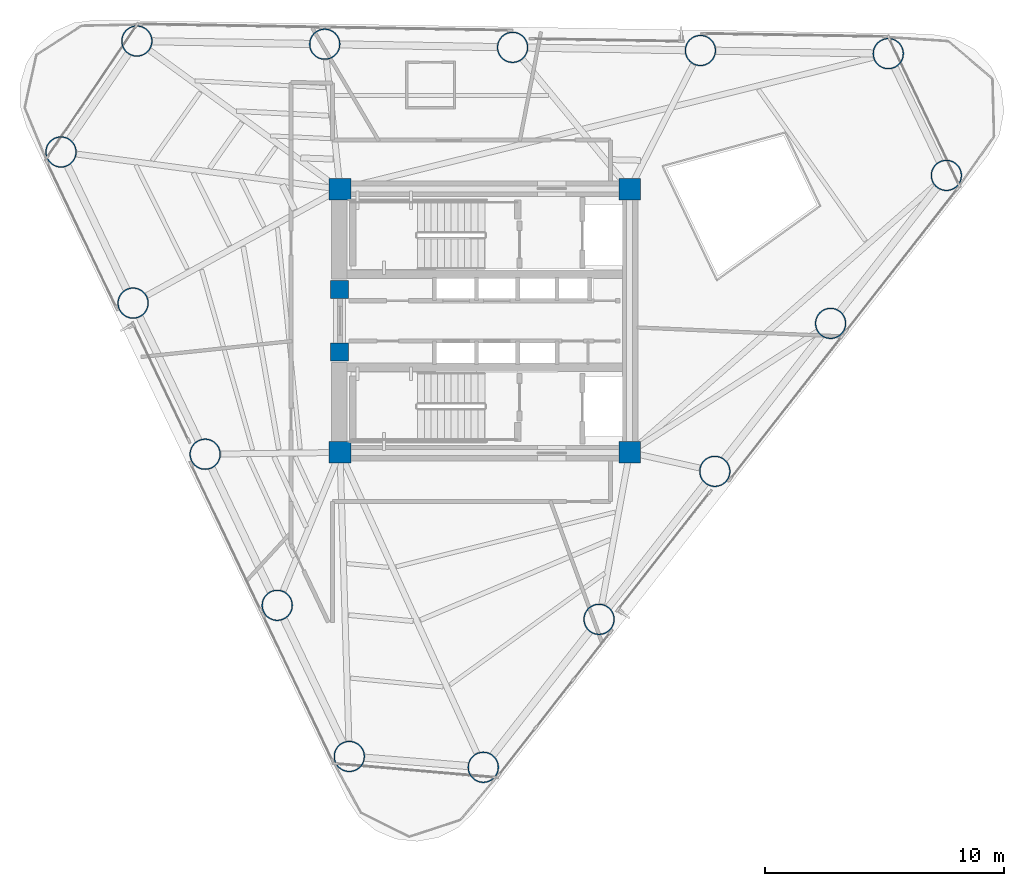
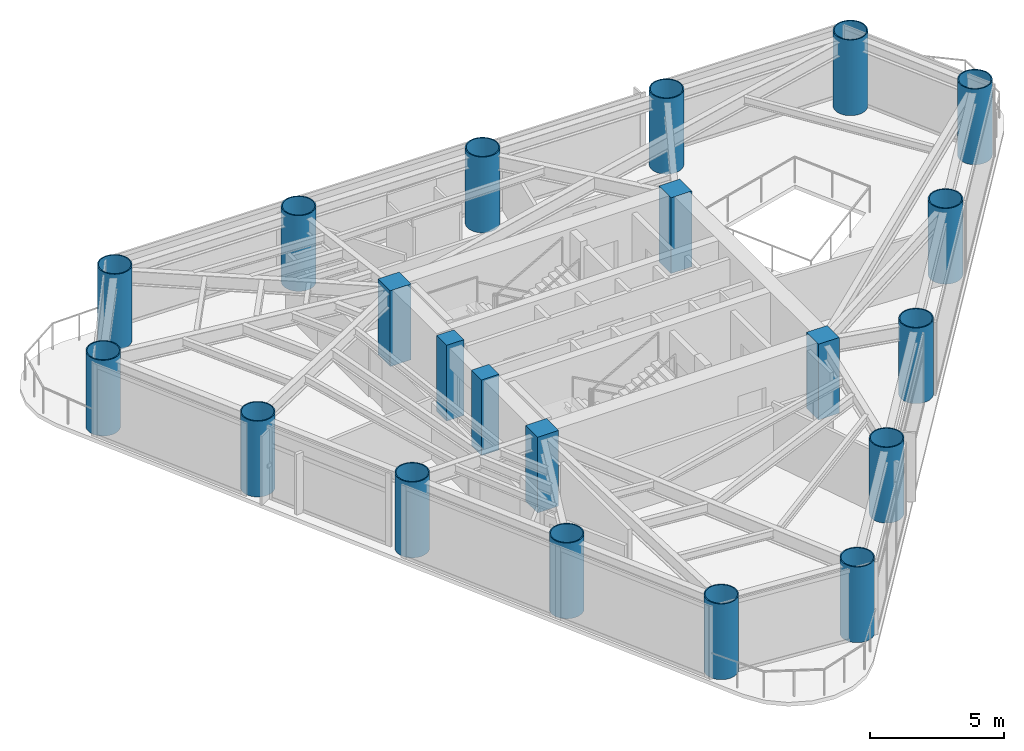
# One storey, part 1 of 10: 21 columns.
"""IFC4 building model written with IfcOpenShell, lengths in metres."""

import ifcopenshell
import ifcopenshell.guid

model = None  # the IFC model being written
_history = None  # IfcOwnerHistory: only IFC2X3 demands one
_inside = {}  # id of a spatial element -> (the spatial element, [elements in it])
_under = {}  # id of a project, library or spatial element -> (it, [spatial elements below it])
_declared = {}  # id of a project -> (the project, [libraries it declares])
_typed = {}  # id of a type object -> (the type object, [elements of that type])
_made_of = {}  # id of a material, layer set ... -> (it, [elements and type objects made of it])


def new_model(schema):
    """Start an empty IFC model of exactly this schema.

    Asked for "IFC4X3", IfcOpenShell would pick the latest addendum, in which some entities
    have other attributes; the version numbers below select the first issue.
    IFC2X3 requires an IfcOwnerHistory on every rooted entity: one is made here for all.
    """
    global model, _history
    if schema == "IFC4X3":
        model = ifcopenshell.file(schema_version=(4, 3, 0, 0))
    else:
        model = ifcopenshell.file(schema=schema)
    _inside.clear()
    _under.clear()
    _declared.clear()
    _typed.clear()
    _made_of.clear()
    _history = None
    if model.schema == "IFC2X3":
        org = make("IfcOrganization", Name="unknown")
        user = make(
            "IfcPersonAndOrganization",
            ThePerson=make("IfcPerson", FamilyName="unknown"),
            TheOrganization=org,
        )
        app = make(
            "IfcApplication",
            ApplicationDeveloper=org,
            Version="unknown",
            ApplicationFullName="unknown",
            ApplicationIdentifier="unknown",
        )
        _history = make(
            "IfcOwnerHistory",
            OwningUser=user,
            OwningApplication=app,
            ChangeAction="ADDED",
            CreationDate=0,
        )
    return model


def make(cls, **values):
    """One entity of the class cls with the attributes given. An attribute that is None is left unset."""
    return model.create_entity(
        cls, **{name: value for name, value in values.items() if value is not None}
    )


def rooted(cls, **values):
    """An entity with a GlobalId (a new one), such as an element, a storey or a relation."""
    return make(cls, GlobalId=ifcopenshell.guid.new(), OwnerHistory=_history, **values)


def si_unit(unit_type, name, prefix=None):
    """IfcSIUnit, for example si_unit("LENGTHUNIT", "METRE", prefix="MILLI")."""
    return make("IfcSIUnit", UnitType=unit_type, Prefix=prefix, Name=name)


def assignment(units):
    """IfcUnitAssignment: the units of a project."""
    return None if units is None else make("IfcUnitAssignment", Units=units)


def point(xyz):
    """IfcCartesianPoint."""
    return None if xyz is None else make("IfcCartesianPoint", Coordinates=xyz)


def direction(xyz):
    """IfcDirection."""
    return None if xyz is None else make("IfcDirection", DirectionRatios=xyz)


def frame(location, z_axis=None, x_axis=None):
    """IfcAxis2Placement3D, a coordinate frame: its origin and axes. An axis left out is left unset."""
    return make(
        "IfcAxis2Placement3D",
        Location=point(location),
        Axis=direction(z_axis),
        RefDirection=direction(x_axis),
    )


def frame_2d(location, x_axis=None):
    """IfcAxis2Placement2D, a coordinate frame in the plane: its origin and x axis."""
    return make(
        "IfcAxis2Placement2D", Location=point(location), RefDirection=direction(x_axis)
    )


def origin():
    """The frame at (0, 0, 0) with its axes left unset."""
    return frame((0.0, 0.0, 0.0))


def origin_2d():
    """The frame at (0, 0) in the plane with its x axis left unset."""
    return frame_2d((0.0, 0.0))


def place(relative_to, where):
    """IfcLocalPlacement: puts the frame where relative to a parent placement (None: the world)."""
    return make(
        "IfcLocalPlacement", PlacementRelTo=relative_to, RelativePlacement=where
    )


def context(
    kind, dimensions, precision=None, world=None, true_north=None, identifier=None
):
    """IfcGeometricRepresentationContext, for example the 3D "Model" context."""
    return make(
        "IfcGeometricRepresentationContext",
        ContextIdentifier=identifier,
        ContextType=kind,
        CoordinateSpaceDimension=dimensions,
        Precision=precision,
        WorldCoordinateSystem=world,
        TrueNorth=true_north,
    )


def subcontext(parent, identifier, kind, view, scale=None):
    """IfcGeometricRepresentationSubContext, for example "Body" below "Model"."""
    return make(
        "IfcGeometricRepresentationSubContext",
        ContextIdentifier=identifier,
        ContextType=kind,
        ParentContext=parent,
        TargetScale=scale,
        TargetView=view,
    )


def project(units=None, contexts=None):
    """IfcProject with its units and contexts."""
    return rooted(
        "IfcProject",
        Name="project",
        RepresentationContexts=contexts,
        UnitsInContext=assignment(units),
    )


def spatial(cls, under=None, at=None, **own):
    """A site, building, storey or space (cls), placed at a placement, below another one or the project."""
    s = rooted(cls, ObjectPlacement=at, **own)
    if under is not None:
        _under.setdefault(under.id(), (under, []))[1].append(s)
    return s


def profile(cls, at=None, kind="AREA", **sizes):
    """A parametric profile (cls). Its sizes go by their IFC names, for example OverallWidth=200.0."""
    return make(cls, ProfileType=kind, Position=at, **sizes)


def rectangle(**sizes):
    """IfcRectangleProfileDef."""
    return profile("IfcRectangleProfileDef", **sizes)


def hollow_circle(**sizes):
    """IfcCircleHollowProfileDef."""
    return profile("IfcCircleHollowProfileDef", **sizes)


def extrude(swept, where, along, depth):
    """IfcExtrudedAreaSolid: the profile swept, set in the frame where, extruded along a direction by depth."""
    return make(
        "IfcExtrudedAreaSolid",
        SweptArea=swept,
        Position=where,
        ExtrudedDirection=direction(along),
        Depth=depth,
    )


def shape(context_of_items, identifier, shape_type, items):
    """IfcShapeRepresentation: the items that make up one representation, for example the "Body"."""
    return make(
        "IfcShapeRepresentation",
        ContextOfItems=context_of_items,
        RepresentationIdentifier=identifier,
        RepresentationType=shape_type,
        Items=items,
    )


def source(mapping_origin, context_of_items, identifier, shape_type, items):
    """IfcRepresentationMap: a shape defined once, which mapped items show again and again."""
    return make(
        "IfcRepresentationMap",
        MappingOrigin=mapping_origin,
        MappedRepresentation=shape(context_of_items, identifier, shape_type, items),
    )


def transform(
    local_origin,
    x_axis=None,
    y_axis=None,
    z_axis=None,
    scale=None,
    scale2=None,
    scale3=None,
    uniform=True,
):
    """IfcCartesianTransformationOperator3D, or its non-uniform kind. x_axis, y_axis, z_axis: its Axis1, 2, 3."""
    if uniform:
        return make(
            "IfcCartesianTransformationOperator3D",
            Axis1=direction(x_axis),
            Axis2=direction(y_axis),
            LocalOrigin=point(local_origin),
            Scale=scale,
            Axis3=direction(z_axis),
        )
    return make(
        "IfcCartesianTransformationOperator3DnonUniform",
        Axis1=direction(x_axis),
        Axis2=direction(y_axis),
        LocalOrigin=point(local_origin),
        Scale=scale,
        Axis3=direction(z_axis),
        Scale2=scale2,
        Scale3=scale3,
    )


def mapped(mapping_source, mapping_target):
    """IfcMappedItem: shows the shape of a source again, moved by a transform."""
    return make(
        "IfcMappedItem", MappingSource=mapping_source, MappingTarget=mapping_target
    )


def material(Name=None, Category=None):
    """IfcMaterial."""
    return make("IfcMaterial", Name=Name, Category=Category)


def material_profile(
    of_material, cross_section, Name=None, Category=None, Priority=None
):
    """IfcMaterialProfile: a cross section and its material."""
    return make(
        "IfcMaterialProfile",
        Name=Name,
        Material=of_material,
        Profile=cross_section,
        Priority=Priority,
        Category=Category,
    )


def profile_set(profiles, Name=None, composite=None):
    """IfcMaterialProfileSet."""
    return make(
        "IfcMaterialProfileSet",
        Name=Name,
        MaterialProfiles=profiles,
        CompositeProfile=composite,
    )


def made_of(thing, what):
    """Note that an element or type object is made of a material, layer set ...; save() writes the relation."""
    if what is not None:
        _made_of.setdefault(what.id(), (what, []))[1].append(thing)
    return thing


def type_object(cls, material=None, **own):
    """A type object (cls), such as IfcWallType, which elements share."""
    return made_of(rooted(cls, **own), material)


def element(
    cls,
    number,
    at=None,
    inside=None,
    cuts=None,
    type_object=None,
    material=None,
    context=None,
    identifier="Body",
    shape_type=None,
    held_by="IfcProductDefinitionShape",
    body=None,
    shapes=None,
    **own,
):
    """One element of the class cls, such as IfcWall. Its Tag is "e" and its number.

    at: its placement. inside: the storey or other place that contains it. cuts: it is an
    opening in that element (IfcRelVoidsElement). A single representation is given by context,
    identifier, shape_type and body (its items); several are given by shapes. held_by: the class
    of the entity that holds the representations. save() writes the other relations.
    """
    e = rooted(cls, Tag="e%d" % number, ObjectPlacement=at, **own)
    if body is not None:
        shapes = [shape(context, identifier, shape_type, body)]
    if shapes is not None:
        e.Representation = make(held_by, Representations=shapes)
    if inside is not None:
        _inside.setdefault(inside.id(), (inside, []))[1].append(e)
    if cuts is not None:
        rooted(
            "IfcRelVoidsElement", RelatingBuildingElement=cuts, RelatedOpeningElement=e
        )
    if type_object is not None:
        _typed.setdefault(type_object.id(), (type_object, []))[1].append(e)
    return made_of(e, material)


def aggregate(whole, parts):
    """IfcRelAggregates: a whole, such as a stair, and the parts it consists of."""
    return rooted("IfcRelAggregates", RelatingObject=whole, RelatedObjects=parts)


def save(model, path):
    """Write the relations noted so far, then the file.

    IfcRelAggregates (storeys below a building ...), IfcRelContainedInSpatialStructure (elements
    in a storey), IfcRelDefinesByType, IfcRelAssociatesMaterial and IfcRelDeclares: one each for
    every whole, place, type object, material and project.
    """
    for whole, parts in _under.values():
        aggregate(whole, parts)
    for where, things in _inside.values():
        rooted(
            "IfcRelContainedInSpatialStructure",
            RelatedElements=things,
            RelatingStructure=where,
        )
    for kind, things in _typed.values():
        rooted("IfcRelDefinesByType", RelatedObjects=things, RelatingType=kind)
    for what, things in _made_of.values():
        rooted("IfcRelAssociatesMaterial", RelatedObjects=things, RelatingMaterial=what)
    for by, libraries in _declared.values():
        rooted("IfcRelDeclares", RelatingContext=by, RelatedDefinitions=libraries)
    model.write(path)


model = new_model("IFC4")

# Units and contexts
model_context = context("Model", 3, precision=1e-05, world=origin(), true_north=direction((0.0, 1.0)))
body_context = subcontext(model_context, "Body", "Model", "MODEL_VIEW")
ifc_project = project(units=[si_unit("LENGTHUNIT", "METRE"), si_unit("AREAUNIT", "SQUARE_METRE"), si_unit("VOLUMEUNIT", "CUBIC_METRE"), si_unit("PLANEANGLEUNIT", "RADIAN"), si_unit("MASSUNIT", "GRAM", prefix="KILO")], contexts=[model_context])

# Site, building, storey
site_placement = place(None, origin())
site = spatial("IfcSite", under=ifc_project, at=site_placement, CompositionType="ELEMENT")
building_placement = place(site_placement, origin())
building = spatial("IfcBuilding", under=site, at=building_placement, Name="Yunling Apex Tower", CompositionType="ELEMENT")
storey_placement = place(building_placement, frame((0.0, 0.0, 136.39990234375)))
storey = spatial("IfcBuildingStorey", under=building, at=storey_placement, Name="L33", CompositionType="ELEMENT", Elevation=136.39990234375)

# Columns
ifc_material_1 = material(Name="Concrete C60", Category="concrete")
ifc_material_profile_1 = material_profile(ifc_material_1, rectangle(XDim=0.89990234375, YDim=0.89990234375, at=origin_2d()))
ifc_profile_set_1 = profile_set([ifc_material_profile_1], Name="Concrete C60")
column_type_1 = type_object("IfcColumnType", Name="PC-SRC-3", PredefinedType="COLUMN", material=ifc_profile_set_1)
shared_shape_1 = source(origin(), body_context, "Body", "SweptSolid", [
    extrude(rectangle(XDim=0.89990234375, YDim=0.89990234375, at=origin_2d()), origin(), (0.0, 0.0, 1.0), 3.4501953125),
])
for number, where, z_axis, x_axis, name in (
    (1, (-6.050048828125, -5.5, 0.0), (0.0, 0.0, 1.0), (1.0, 0.0, 0.0), "L33 Core Spine Column CC-SW"),
    (2, (6.050048828125, -5.5, 0.0), (0.0, 0.0, 1.0), (1.0, 0.0, 0.0), "L33 Core Spine Column CC-SE"),
    (3, (6.050048828125, 5.5, 0.0), (0.0, 0.0, 1.0), (1.0, 0.0, 0.0), "L33 Core Spine Column CC-NE"),
    (4, (-6.050048828125, 5.5, 0.0), (0.0, 0.0, 1.0), (1.0, 0.0, 0.0), "L33 Core Spine Column CC-NW"),
):
    element("IfcColumn", number, at=place(storey_placement, frame(where, z_axis=z_axis, x_axis=x_axis)), inside=storey, type_object=column_type_1, Name=name, PredefinedType="COLUMN", context=body_context, shape_type="MappedRepresentation", body=[
        mapped(shared_shape_1, transform((0.0, 0.0, 0.0), scale=1.0)),
    ])
ifc_material_2 = material(Name="Concrete C50", Category="concrete")
ifc_material_profile_2 = material_profile(ifc_material_2, rectangle(XDim=0.75, YDim=0.75, at=origin_2d()))
ifc_profile_set_2 = profile_set([ifc_material_profile_2], Name="Concrete C50")
column_type_2 = type_object("IfcColumnType", Name="PC-SRC-4", PredefinedType="COLUMN", material=ifc_profile_set_2)
shared_shape_2 = source(origin(), body_context, "Body", "SweptSolid", [
    extrude(rectangle(XDim=0.75, YDim=0.75, at=origin_2d()), origin(), (0.0, 0.0, 1.0), 3.4501953125),
])
for number, where, z_axis, x_axis, name in (
    (5, (-6.074951171875, -1.300048828125, 0.0), (0.0, 0.0, 1.0), (1.0, 0.0, 0.0), "L33 Core West Portal Jamb Column S"),
    (6, (-6.074951171875, 1.300048828125, 0.0), (0.0, 0.0, 1.0), (1.0, 0.0, 0.0), "L33 Core West Portal Jamb Column N"),
):
    element("IfcColumn", number, at=place(storey_placement, frame(where, z_axis=z_axis, x_axis=x_axis)), inside=storey, type_object=column_type_2, Name=name, PredefinedType="COLUMN", context=body_context, shape_type="MappedRepresentation", body=[
        mapped(shared_shape_2, transform((0.0, 0.0, 0.0), scale=1.0)),
    ])
ifc_material_3 = material(Name="Steel Q390GJC", Category="steel")
ifc_material_profile_3 = material_profile(ifc_material_3, hollow_circle(Radius=0.64990234375, WallThickness=0.044921875, at=origin_2d()))
ifc_profile_set_3 = profile_set([ifc_material_profile_3], Name="Steel Q390GJC")
column_type_3 = type_object("IfcColumnType", Name="MC-CFST-3", PredefinedType="COLUMN", material=ifc_profile_set_3)
shared_shape_3 = source(origin(), body_context, "Body", "SweptSolid", [
    extrude(hollow_circle(Radius=0.64990234375, WallThickness=0.044921875, at=origin_2d()), origin(), (0.0, 0.0, 1.0), 3.4501953125),
])
for number, where, z_axis, x_axis, name in (
    (7, (-0.06396484375, -18.654541015625, 0.0), (0.0, 0.0, 1.0), (1.0, 0.0, 0.0), "L33 Perimeter CFST Mega-Column P01"),
    (8, (4.773193359375, -12.471923828125, 0.0), (0.0, 0.0, 1.0), (1.0, 0.0, 0.0), "L33 Perimeter CFST Mega-Column P02"),
    (9, (9.610595703125, -6.289306640625, 0.0), (0.0, 0.0, 1.0), (1.0, 0.0, 0.0), "L33 Perimeter CFST Mega-Column P03"),
    (10, (14.447998046875, -0.106689453125, 0.0), (0.0, 0.0, 1.0), (1.0, 0.0, 0.0), "L33 Perimeter CFST Mega-Column P04"),
    (11, (19.28515625, 6.075927734375, 0.0), (0.0, 0.0, 1.0), (1.0, 0.0, 0.0), "L33 Perimeter CFST Mega-Column P05"),
    (12, (16.8583984375, 11.163818359375, 0.0), (0.0, 0.0, 1.0), (1.0, 0.0, 0.0), "L33 Perimeter CFST Mega-Column P06"),
    (13, (9.009521484375, 11.295166015625, 0.0), (0.0, 0.0, 1.0), (1.0, 0.0, 0.0), "L33 Perimeter CFST Mega-Column P07"),
    (14, (1.160400390625, 11.4267578125, 0.0), (0.0, 0.0, 1.0), (1.0, 0.0, 0.0), "L33 Perimeter CFST Mega-Column P08"),
    (15, (-6.6884765625, 11.558349609375, 0.0), (0.0, 0.0, 1.0), (1.0, 0.0, 0.0), "L33 Perimeter CFST Mega-Column P09"),
    (16, (-14.53759765625, 11.68994140625, 0.0), (0.0, 0.0, 1.0), (1.0, 0.0, 0.0), "L33 Perimeter CFST Mega-Column P10"),
    (17, (-17.70849609375, 7.0546875, 0.0), (0.0, 0.0, 1.0), (1.0, 0.0, 0.0), "L33 Perimeter CFST Mega-Column P11"),
    (18, (-14.69677734375, 0.740478515625, 0.0), (0.0, 0.0, 1.0), (1.0, 0.0, 0.0), "L33 Perimeter CFST Mega-Column P12"),
    (19, (-11.685302734375, -5.573486328125, 0.0), (0.0, 0.0, 1.0), (1.0, 0.0, 0.0), "L33 Perimeter CFST Mega-Column P13"),
    (20, (-8.673583984375, -11.8876953125, 0.0), (0.0, 0.0, 1.0), (1.0, 0.0, 0.0), "L33 Perimeter CFST Mega-Column P14"),
    (21, (-5.661865234375, -18.201904296875, 0.0), (0.0, 0.0, 1.0), (1.0, 0.0, 0.0), "L33 Perimeter CFST Mega-Column P15"),
):
    element("IfcColumn", number, at=place(storey_placement, frame(where, z_axis=z_axis, x_axis=x_axis)), inside=storey, type_object=column_type_3, Name=name, PredefinedType="COLUMN", context=body_context, shape_type="MappedRepresentation", body=[
        mapped(shared_shape_3, transform((0.0, 0.0, 0.0), scale=1.0)),
    ])

save(model, "model.ifc")
